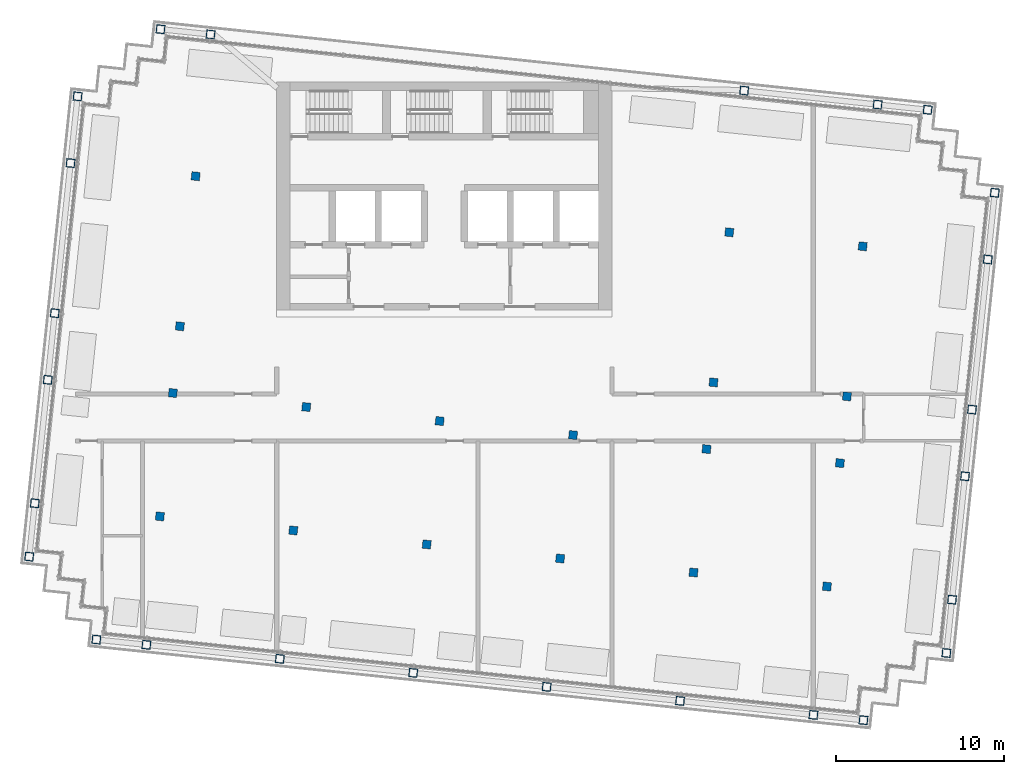
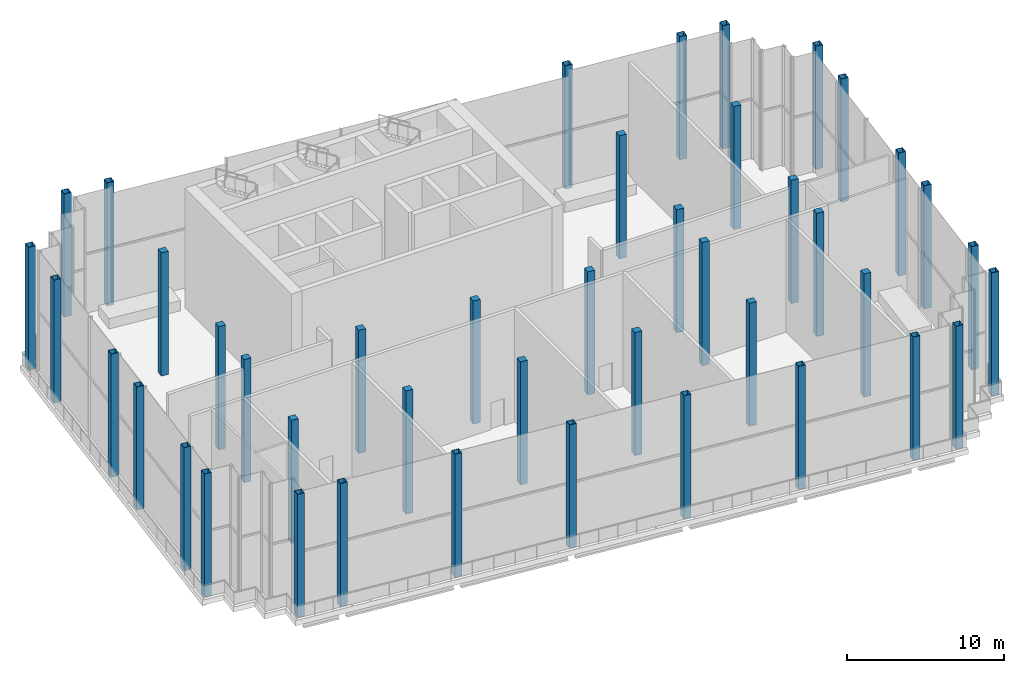
# One storey, part 1 of 14: 43 columns.
"""IFC4 building model written with IfcOpenShell, lengths in metres."""

import ifcopenshell
import ifcopenshell.guid

model = None  # the IFC model being written
_history = None  # IfcOwnerHistory: only IFC2X3 demands one
_inside = {}  # id of a spatial element -> (the spatial element, [elements in it])
_under = {}  # id of a project, library or spatial element -> (it, [spatial elements below it])
_declared = {}  # id of a project -> (the project, [libraries it declares])
_typed = {}  # id of a type object -> (the type object, [elements of that type])
_made_of = {}  # id of a material, layer set ... -> (it, [elements and type objects made of it])


def new_model(schema):
    """Start an empty IFC model of exactly this schema.

    Asked for "IFC4X3", IfcOpenShell would pick the latest addendum, in which some entities
    have other attributes; the version numbers below select the first issue.
    IFC2X3 requires an IfcOwnerHistory on every rooted entity: one is made here for all.
    """
    global model, _history
    if schema == "IFC4X3":
        model = ifcopenshell.file(schema_version=(4, 3, 0, 0))
    else:
        model = ifcopenshell.file(schema=schema)
    _inside.clear()
    _under.clear()
    _declared.clear()
    _typed.clear()
    _made_of.clear()
    _history = None
    if model.schema == "IFC2X3":
        org = make("IfcOrganization", Name="unknown")
        user = make(
            "IfcPersonAndOrganization",
            ThePerson=make("IfcPerson", FamilyName="unknown"),
            TheOrganization=org,
        )
        app = make(
            "IfcApplication",
            ApplicationDeveloper=org,
            Version="unknown",
            ApplicationFullName="unknown",
            ApplicationIdentifier="unknown",
        )
        _history = make(
            "IfcOwnerHistory",
            OwningUser=user,
            OwningApplication=app,
            ChangeAction="ADDED",
            CreationDate=0,
        )
    return model


def make(cls, **values):
    """One entity of the class cls with the attributes given. An attribute that is None is left unset."""
    return model.create_entity(
        cls, **{name: value for name, value in values.items() if value is not None}
    )


def rooted(cls, **values):
    """An entity with a GlobalId (a new one), such as an element, a storey or a relation."""
    return make(cls, GlobalId=ifcopenshell.guid.new(), OwnerHistory=_history, **values)


def si_unit(unit_type, name, prefix=None):
    """IfcSIUnit, for example si_unit("LENGTHUNIT", "METRE", prefix="MILLI")."""
    return make("IfcSIUnit", UnitType=unit_type, Prefix=prefix, Name=name)


def assignment(units):
    """IfcUnitAssignment: the units of a project."""
    return None if units is None else make("IfcUnitAssignment", Units=units)


def point(xyz):
    """IfcCartesianPoint."""
    return None if xyz is None else make("IfcCartesianPoint", Coordinates=xyz)


def direction(xyz):
    """IfcDirection."""
    return None if xyz is None else make("IfcDirection", DirectionRatios=xyz)


def frame(location, z_axis=None, x_axis=None):
    """IfcAxis2Placement3D, a coordinate frame: its origin and axes. An axis left out is left unset."""
    return make(
        "IfcAxis2Placement3D",
        Location=point(location),
        Axis=direction(z_axis),
        RefDirection=direction(x_axis),
    )


def frame_2d(location, x_axis=None):
    """IfcAxis2Placement2D, a coordinate frame in the plane: its origin and x axis."""
    return make(
        "IfcAxis2Placement2D", Location=point(location), RefDirection=direction(x_axis)
    )


def origin():
    """The frame at (0, 0, 0) with its axes left unset."""
    return frame((0.0, 0.0, 0.0))


def origin_2d():
    """The frame at (0, 0) in the plane with its x axis left unset."""
    return frame_2d((0.0, 0.0))


def place(relative_to, where):
    """IfcLocalPlacement: puts the frame where relative to a parent placement (None: the world)."""
    return make(
        "IfcLocalPlacement", PlacementRelTo=relative_to, RelativePlacement=where
    )


def context(
    kind, dimensions, precision=None, world=None, true_north=None, identifier=None
):
    """IfcGeometricRepresentationContext, for example the 3D "Model" context."""
    return make(
        "IfcGeometricRepresentationContext",
        ContextIdentifier=identifier,
        ContextType=kind,
        CoordinateSpaceDimension=dimensions,
        Precision=precision,
        WorldCoordinateSystem=world,
        TrueNorth=true_north,
    )


def subcontext(parent, identifier, kind, view, scale=None):
    """IfcGeometricRepresentationSubContext, for example "Body" below "Model"."""
    return make(
        "IfcGeometricRepresentationSubContext",
        ContextIdentifier=identifier,
        ContextType=kind,
        ParentContext=parent,
        TargetScale=scale,
        TargetView=view,
    )


def project(units=None, contexts=None):
    """IfcProject with its units and contexts."""
    return rooted(
        "IfcProject",
        Name="project",
        RepresentationContexts=contexts,
        UnitsInContext=assignment(units),
    )


def spatial(cls, under=None, at=None, **own):
    """A site, building, storey or space (cls), placed at a placement, below another one or the project."""
    s = rooted(cls, ObjectPlacement=at, **own)
    if under is not None:
        _under.setdefault(under.id(), (under, []))[1].append(s)
    return s


def profile(cls, at=None, kind="AREA", **sizes):
    """A parametric profile (cls). Its sizes go by their IFC names, for example OverallWidth=200.0."""
    return make(cls, ProfileType=kind, Position=at, **sizes)


def rectangle(**sizes):
    """IfcRectangleProfileDef."""
    return profile("IfcRectangleProfileDef", **sizes)


def hollow_rectangle(**sizes):
    """IfcRectangleHollowProfileDef."""
    return profile("IfcRectangleHollowProfileDef", **sizes)


def extrude(swept, where, along, depth):
    """IfcExtrudedAreaSolid: the profile swept, set in the frame where, extruded along a direction by depth."""
    return make(
        "IfcExtrudedAreaSolid",
        SweptArea=swept,
        Position=where,
        ExtrudedDirection=direction(along),
        Depth=depth,
    )


def shape(context_of_items, identifier, shape_type, items):
    """IfcShapeRepresentation: the items that make up one representation, for example the "Body"."""
    return make(
        "IfcShapeRepresentation",
        ContextOfItems=context_of_items,
        RepresentationIdentifier=identifier,
        RepresentationType=shape_type,
        Items=items,
    )


def material(Name=None, Category=None):
    """IfcMaterial."""
    return make("IfcMaterial", Name=Name, Category=Category)


def material_profile(
    of_material, cross_section, Name=None, Category=None, Priority=None
):
    """IfcMaterialProfile: a cross section and its material."""
    return make(
        "IfcMaterialProfile",
        Name=Name,
        Material=of_material,
        Profile=cross_section,
        Priority=Priority,
        Category=Category,
    )


def profile_set(profiles, Name=None, composite=None):
    """IfcMaterialProfileSet."""
    return make(
        "IfcMaterialProfileSet",
        Name=Name,
        MaterialProfiles=profiles,
        CompositeProfile=composite,
    )


def made_of(thing, what):
    """Note that an element or type object is made of a material, layer set ...; save() writes the relation."""
    if what is not None:
        _made_of.setdefault(what.id(), (what, []))[1].append(thing)
    return thing


def type_object(cls, material=None, **own):
    """A type object (cls), such as IfcWallType, which elements share."""
    return made_of(rooted(cls, **own), material)


def element(
    cls,
    number,
    at=None,
    inside=None,
    cuts=None,
    type_object=None,
    material=None,
    context=None,
    identifier="Body",
    shape_type=None,
    held_by="IfcProductDefinitionShape",
    body=None,
    shapes=None,
    **own,
):
    """One element of the class cls, such as IfcWall. Its Tag is "e" and its number.

    at: its placement. inside: the storey or other place that contains it. cuts: it is an
    opening in that element (IfcRelVoidsElement). A single representation is given by context,
    identifier, shape_type and body (its items); several are given by shapes. held_by: the class
    of the entity that holds the representations. save() writes the other relations.
    """
    e = rooted(cls, Tag="e%d" % number, ObjectPlacement=at, **own)
    if body is not None:
        shapes = [shape(context, identifier, shape_type, body)]
    if shapes is not None:
        e.Representation = make(held_by, Representations=shapes)
    if inside is not None:
        _inside.setdefault(inside.id(), (inside, []))[1].append(e)
    if cuts is not None:
        rooted(
            "IfcRelVoidsElement", RelatingBuildingElement=cuts, RelatedOpeningElement=e
        )
    if type_object is not None:
        _typed.setdefault(type_object.id(), (type_object, []))[1].append(e)
    return made_of(e, material)


def aggregate(whole, parts):
    """IfcRelAggregates: a whole, such as a stair, and the parts it consists of."""
    return rooted("IfcRelAggregates", RelatingObject=whole, RelatedObjects=parts)


def save(model, path):
    """Write the relations noted so far, then the file.

    IfcRelAggregates (storeys below a building ...), IfcRelContainedInSpatialStructure (elements
    in a storey), IfcRelDefinesByType, IfcRelAssociatesMaterial and IfcRelDeclares: one each for
    every whole, place, type object, material and project.
    """
    for whole, parts in _under.values():
        aggregate(whole, parts)
    for where, things in _inside.values():
        rooted(
            "IfcRelContainedInSpatialStructure",
            RelatedElements=things,
            RelatingStructure=where,
        )
    for kind, things in _typed.values():
        rooted("IfcRelDefinesByType", RelatedObjects=things, RelatingType=kind)
    for what, things in _made_of.values():
        rooted("IfcRelAssociatesMaterial", RelatedObjects=things, RelatingMaterial=what)
    for by, libraries in _declared.values():
        rooted("IfcRelDeclares", RelatingContext=by, RelatedDefinitions=libraries)
    model.write(path)


model = new_model("IFC4")

# Units and contexts
model_context = context("Model", 3, precision=1e-05, world=origin(), true_north=direction((0.0, 1.0)))
body_context = subcontext(model_context, "Body", "Model", "MODEL_VIEW")
ifc_project = project(units=[si_unit("LENGTHUNIT", "METRE"), si_unit("AREAUNIT", "SQUARE_METRE"), si_unit("VOLUMEUNIT", "CUBIC_METRE"), si_unit("PLANEANGLEUNIT", "RADIAN"), si_unit("MASSUNIT", "GRAM", prefix="KILO")], contexts=[model_context])

# Site, building, storey
site_placement = place(None, origin())
site = spatial("IfcSite", under=ifc_project, at=site_placement, CompositionType="ELEMENT")
building_placement = place(site_placement, origin())
building = spatial("IfcBuilding", under=site, at=building_placement, Name="Vidyagriha Tower", CompositionType="ELEMENT")
storey_placement = place(building_placement, frame((0.0, 0.0, 281.89990234375)))
storey = spatial("IfcBuildingStorey", under=building, at=storey_placement, Name="L74", CompositionType="ELEMENT", Elevation=281.89990234375)

# Columns
ifc_material_1 = material(Name="Steel ASTM A572 Grade 50", Category="steel")
ifc_material_profile_1 = material_profile(ifc_material_1, hollow_rectangle(XDim=0.5, YDim=0.5, WallThickness=0.02490234375, at=origin_2d()), Name="BOX 500x500x25")
ifc_profile_set_1 = profile_set([ifc_material_profile_1], Name="Steel ASTM A572 Grade 50")
column_type_1 = type_object("IfcColumnType", Name="Exoskeleton column BOX 500x500x25", PredefinedType="COLUMN", material=ifc_profile_set_1)
for number, where, z_axis, x_axis, name in (
    (1, (-20.751953125, -13.24267578125, 0.0), (0.0, 0.0, 1.0), (0.994521895368, -0.104528463268, 0.0), "st-col-L74-B6-001"),
    (2, (-17.768310546875, -13.55615234375, 0.0), (0.0, 0.0, 1.0), (0.994521895368, -0.104528463268, 0.0), "st-col-L74-B6-002"),
    (3, (-9.812255859375, -14.392333984375, 0.0), (0.0, 0.0, 1.0), (0.994521895368, -0.104528463268, 0.0), "st-col-L74-B6-003"),
    (4, (-1.856201171875, -15.228515625, 0.0), (0.0, 0.0, 1.0), (0.994521895368, -0.104528463268, 0.0), "st-col-L74-B6-004"),
    (5, (6.10009765625, -16.06494140625, 0.0), (0.0, 0.0, 1.0), (0.994521895368, -0.104528463268, 0.0), "st-col-L74-B6-005"),
    (6, (14.056396484375, -16.901123046875, 0.0), (0.0, 0.0, 1.0), (0.994521895368, -0.104528463268, 0.0), "st-col-L74-B6-006"),
    (7, (22.012451171875, -17.7373046875, 0.0), (0.0, 0.0, 1.0), (0.994521895368, -0.104528463268, 0.0), "st-col-L74-B6-007"),
    (8, (24.99609375, -18.05078125, 0.0), (0.0, 0.0, 1.0), (0.994521895368, -0.104528463268, 0.0), "st-col-L74-B6-008"),
    (9, (-24.757080078125, -8.296875, 0.0), (0.0, 0.0, 1.0), (0.994521895368, -0.104528463268, 0.0), "st-col-L74-B6-009"),
    (10, (29.941650390625, -14.0458984375, 0.0), (0.0, 0.0, 1.0), (0.994521895368, -0.104528463268, 0.0), "st-col-L74-B6-010"),
    (11, (-24.422607421875, -5.114501953125, 0.0), (0.0, 0.0, 1.0), (0.994521895368, -0.104528463268, 0.0), "st-col-L74-B6-011"),
    (12, (30.276123046875, -10.863525390625, 0.0), (0.0, 0.0, 1.0), (0.994521895368, -0.104528463268, 0.0), "st-col-L74-B6-018"),
    (13, (-23.64892578125, 2.2451171875, 0.0), (0.0, 0.0, 1.0), (0.994521895368, -0.104528463268, 0.0), "st-col-L74-B6-019"),
    (14, (31.0498046875, -3.50390625, 0.0), (0.0, 0.0, 1.0), (0.994521895368, -0.104528463268, 0.0), "st-col-L74-B6-026"),
    (15, (-23.23095703125, 6.22314453125, 0.0), (0.0, 0.0, 1.0), (0.994521895368, -0.104528463268, 0.0), "st-col-L74-B6-027"),
    (16, (31.4677734375, 0.47412109375, 0.0), (0.0, 0.0, 1.0), (0.994521895368, -0.104528463268, 0.0), "st-col-L74-B6-031"),
    (17, (-22.2900390625, 15.173828125, 0.0), (0.0, 0.0, 1.0), (0.994521895368, -0.104528463268, 0.0), "st-col-L74-B6-032"),
    (18, (32.40869140625, 9.4248046875, 0.0), (0.0, 0.0, 1.0), (0.994521895368, -0.104528463268, 0.0), "st-col-L74-B6-036"),
    (19, (-21.8720703125, 19.15185546875, 0.0), (0.0, 0.0, 1.0), (0.994521895368, -0.104528463268, 0.0), "st-col-L74-B6-037"),
    (20, (32.82666015625, 13.40283203125, 0.0), (0.0, 0.0, 1.0), (0.994521895368, -0.104528463268, 0.0), "st-col-L74-B6-038"),
    (21, (-16.92626953125, 23.156982421875, 0.0), (0.0, 0.0, 1.0), (0.994521895368, -0.104528463268, 0.0), "st-col-L74-B6-039"),
    (22, (-13.942626953125, 22.84326171875, 0.0), (0.0, 0.0, 1.0), (0.994521895368, -0.104528463268, 0.0), "st-col-L74-B6-040"),
    (23, (17.882080078125, 19.498291015625, 0.0), (0.0, 0.0, 1.0), (0.994521895368, -0.104528463268, 0.0), "st-col-L74-B6-041"),
    (24, (25.838134765625, 18.662109375, 0.0), (0.0, 0.0, 1.0), (0.994521895368, -0.104528463268, 0.0), "st-col-L74-B6-042"),
    (25, (28.82177734375, 18.3486328125, 0.0), (0.0, 0.0, 1.0), (0.994521895368, -0.104528463268, 0.0), "st-col-L74-B6-043"),
):
    element("IfcColumn", number, at=place(storey_placement, frame(where, z_axis=z_axis, x_axis=x_axis)), inside=storey, type_object=column_type_1, Name=name, PredefinedType="COLUMN", context=body_context, shape_type="SweptSolid", body=[
        extrude(hollow_rectangle(XDim=0.5, YDim=0.5, WallThickness=0.02490234375, at=origin_2d()), origin(), (0.0, 0.0, 1.0), 9.60009765625),
    ])
ifc_material_2 = material(Name="Concrete C60/75", Category="concrete")
ifc_material_profile_2 = material_profile(ifc_material_2, rectangle(XDim=0.5, YDim=0.5, at=origin_2d()), Name="RC 500x500")
ifc_profile_set_2 = profile_set([ifc_material_profile_2], Name="Concrete C60/75")
column_type_2 = type_object("IfcColumnType", Name="Frame column RC 500x500", PredefinedType="COLUMN", material=ifc_profile_set_2)
for number, where, z_axis, x_axis, name in (
    (26, (-16.963623046875, -5.8984375, 0.0), (0.0, 0.0, 1.0), (0.994521895368, -0.104528463268, 0.0), "st-col-L74-B6-012"),
    (27, (-9.00732421875, -6.734619140625, 0.0), (0.0, 0.0, 1.0), (0.994521895368, -0.104528463268, 0.0), "st-col-L74-B6-013"),
    (28, (-1.05126953125, -7.57080078125, 0.0), (0.0, 0.0, 1.0), (0.994521895368, -0.104528463268, 0.0), "st-col-L74-B6-014"),
    (29, (6.905029296875, -8.406982421875, 0.0), (0.0, 0.0, 1.0), (0.994521895368, -0.104528463268, 0.0), "st-col-L74-B6-015"),
    (30, (14.861083984375, -9.243408203125, 0.0), (0.0, 0.0, 1.0), (0.994521895368, -0.104528463268, 0.0), "st-col-L74-B6-016"),
    (31, (22.8173828125, -10.07958984375, 0.0), (0.0, 0.0, 1.0), (0.994521895368, -0.104528463268, 0.0), "st-col-L74-B6-017"),
    (32, (-16.190185546875, 1.461181640625, 0.0), (0.0, 0.0, 1.0), (0.994521895368, -0.104528463268, 0.0), "st-col-L74-B6-020"),
    (33, (-8.23388671875, 0.625, 0.0), (0.0, 0.0, 1.0), (0.994521895368, -0.104528463268, 0.0), "st-col-L74-B6-021"),
    (34, (-0.277587890625, -0.21142578125, 0.0), (0.0, 0.0, 1.0), (0.994521895368, -0.104528463268, 0.0), "st-col-L74-B6-022"),
    (35, (7.678466796875, -1.047607421875, 0.0), (0.0, 0.0, 1.0), (0.994521895368, -0.104528463268, 0.0), "st-col-L74-B6-023"),
    (36, (15.634521484375, -1.8837890625, 0.0), (0.0, 0.0, 1.0), (0.994521895368, -0.104528463268, 0.0), "st-col-L74-B6-024"),
    (37, (23.5908203125, -2.72021484375, 0.0), (0.0, 0.0, 1.0), (0.994521895368, -0.104528463268, 0.0), "st-col-L74-B6-025"),
    (38, (-15.77197265625, 5.439208984375, 0.0), (0.0, 0.0, 1.0), (0.994521895368, -0.104528463268, 0.0), "st-col-L74-B6-028"),
    (39, (16.052734375, 2.09423828125, 0.0), (0.0, 0.0, 1.0), (0.994521895368, -0.104528463268, 0.0), "st-col-L74-B6-029"),
    (40, (24.0087890625, 1.258056640625, 0.0), (0.0, 0.0, 1.0), (0.994521895368, -0.104528463268, 0.0), "st-col-L74-B6-030"),
    (41, (-14.831298828125, 14.389892578125, 0.0), (0.0, 0.0, 1.0), (0.994521895368, -0.104528463268, 0.0), "st-col-L74-B6-033"),
    (42, (16.993408203125, 11.044921875, 0.0), (0.0, 0.0, 1.0), (0.994521895368, -0.104528463268, 0.0), "st-col-L74-B6-034"),
    (43, (24.94970703125, 10.208740234375, 0.0), (0.0, 0.0, 1.0), (0.994521895368, -0.104528463268, 0.0), "st-col-L74-B6-035"),
):
    element("IfcColumn", number, at=place(storey_placement, frame(where, z_axis=z_axis, x_axis=x_axis)), inside=storey, type_object=column_type_2, Name=name, PredefinedType="COLUMN", context=body_context, shape_type="SweptSolid", body=[
        extrude(rectangle(XDim=0.5, YDim=0.5, at=origin_2d()), origin(), (0.0, 0.0, 1.0), 9.60009765625),
    ])

save(model, "model.ifc")
